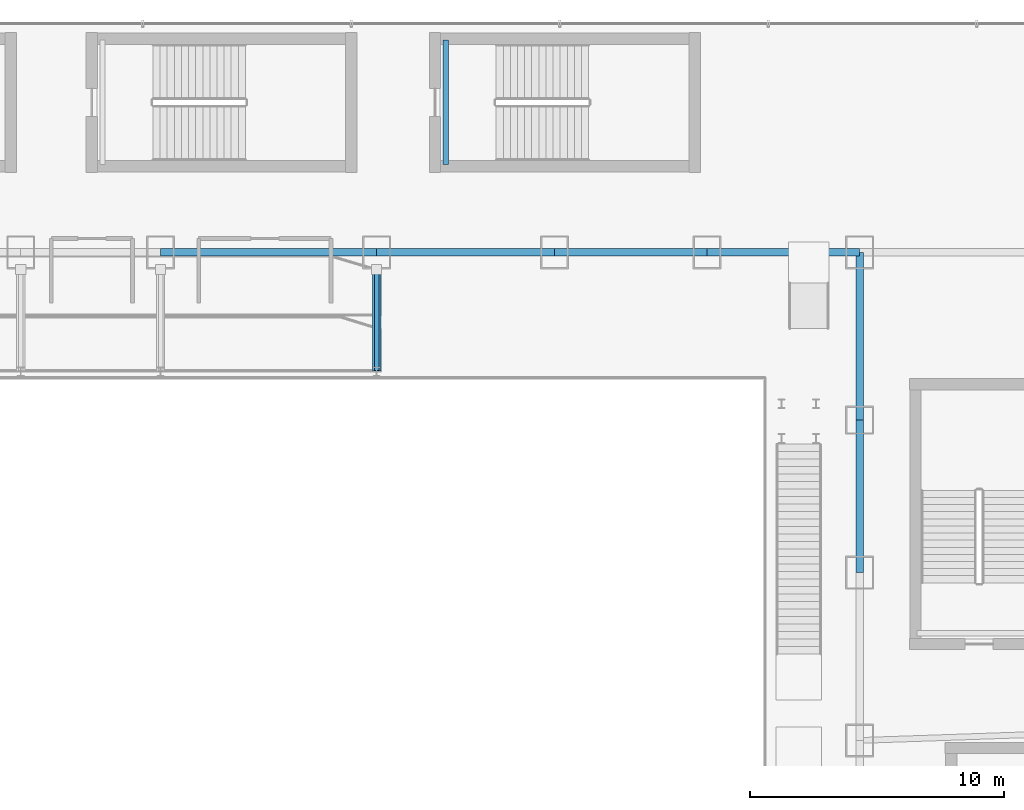
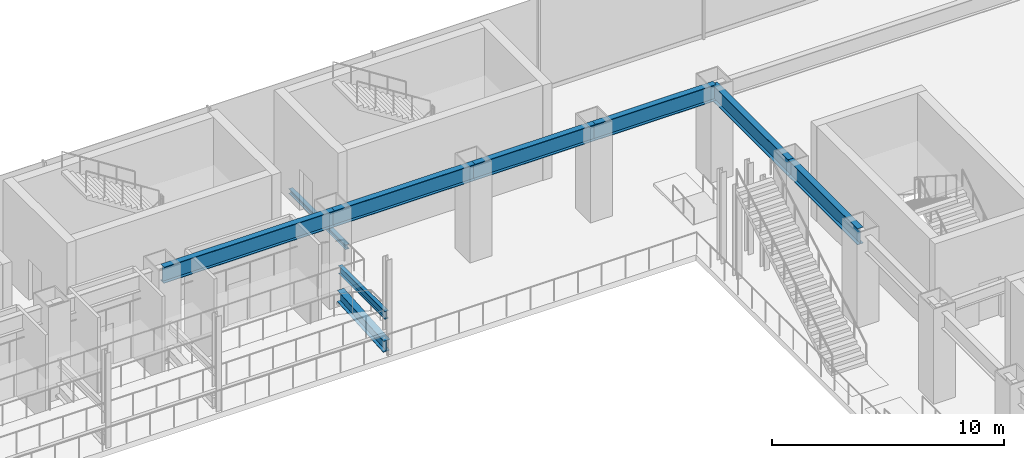
# One storey, part 16 of 40: 9 beams.
"""IFC4 building model written with IfcOpenShell, lengths in metres."""

from ifc_helpers import new_model, si_unit, derived_unit, direction, frame, origin, origin_2d, place, context, subcontext, project, spatial, i_section, extrude, source, transform, mapped, material, material_profile, profile_set, type_object, element, save


model = new_model("IFC4")

# Units and contexts
model_context = context("Model", 3, precision=1e-05, world=origin(), true_north=direction((0.0, 1.0)))
body_context = subcontext(model_context, "Body", "Model", "MODEL_VIEW")
ifc_project = project(units=[si_unit("LENGTHUNIT", "METRE"), si_unit("AREAUNIT", "SQUARE_METRE"), si_unit("VOLUMEUNIT", "CUBIC_METRE"), si_unit("PLANEANGLEUNIT", "RADIAN"), si_unit("MASSUNIT", "GRAM", prefix="KILO"), derived_unit("THERMALTRANSMITTANCEUNIT", [(si_unit("POWERUNIT", "WATT"), 1), (si_unit("LENGTHUNIT", "METRE"), -2), (si_unit("THERMODYNAMICTEMPERATUREUNIT", "KELVIN"), -1)])], contexts=[model_context])

# Site, building, storey
site_placement = place(None, origin())
site = spatial("IfcSite", under=ifc_project, at=site_placement, CompositionType="ELEMENT")
building_placement = place(site_placement, origin())
building = spatial("IfcBuilding", under=site, at=building_placement, Name="Skarnbrae Concourse Arena and Tower", CompositionType="ELEMENT")
storey_placement = place(building_placement, frame((0.0, 0.0, 6.0)))
storey = spatial("IfcBuildingStorey", under=building, at=storey_placement, Name="L01", CompositionType="ELEMENT", Elevation=6.0)

# Beams
ifc_material = material(Name="Steel CSA G40.21 350W", Category="steel")
ifc_material_profile_1 = material_profile(ifc_material, i_section(OverallWidth=0.2939453125, OverallDepth=0.85107421875, WebThickness=0.01611328125, FlangeThickness=0.02685546875, at=origin_2d()), Name="W840X226")
ifc_profile_set_1 = profile_set([ifc_material_profile_1], Name="Steel CSA G40.21 350W")
beam_type_1 = type_object("IfcBeamType", Name="BM-GIRD-W840X226", PredefinedType="BEAM", material=ifc_profile_set_1)
shared_shape_1 = source(origin(), body_context, "Body", "SweptSolid", [
    extrude(i_section(OverallWidth=0.2939453125, OverallDepth=0.85107421875, WebThickness=0.01611328125, FlangeThickness=0.02685546875, at=origin_2d()), origin(), (0.0, 0.0, 1.0), 6.60009765625),
])
beam_1_placement = place(storey_placement, frame((61.0, 40.39990234375, 4.2744140625), z_axis=(0.0, 1.0, 0.0), x_axis=(-1.0, 0.0, 0.0)))
element("IfcBeam", 1, at=beam_1_placement, inside=storey, type_object=beam_type_1, Name="L01 Podium east girder 6", PredefinedType="BEAM", context=body_context, shape_type="MappedRepresentation", body=[
    mapped(shared_shape_1, transform((0.0, 0.0, 0.0))),
])
shared_shape_2 = source(origin(), body_context, "Body", "SweptSolid", [
    extrude(i_section(OverallWidth=0.2939453125, OverallDepth=0.85107421875, WebThickness=0.01611328125, FlangeThickness=0.02685546875, at=origin_2d()), origin(), (0.0, 0.0, 1.0), 8.5),
])
beam_2_placement = place(storey_placement, frame((33.5, 47.0, 4.2744140625), z_axis=(1.0, 0.0, 0.0), x_axis=(0.0, 1.0, 0.0)))
element("IfcBeam", 2, at=beam_2_placement, inside=storey, type_object=beam_type_1, Name="L01 Podium north girder 6", PredefinedType="BEAM", context=body_context, shape_type="MappedRepresentation", body=[
    mapped(shared_shape_2, transform((0.0, 0.0, 0.0))),
])
shared_shape_3 = source(origin(), body_context, "Body", "SweptSolid", [
    extrude(i_section(OverallWidth=0.2939453125, OverallDepth=0.85107421875, WebThickness=0.01611328125, FlangeThickness=0.02685546875, at=origin_2d()), origin(), (0.0, 0.0, 1.0), 7.0),
])
beam_3_placement = place(storey_placement, frame((42.0, 47.0, 4.2744140625), z_axis=(1.0, 0.0, 0.0), x_axis=(0.0, 1.0, 0.0)))
element("IfcBeam", 3, at=beam_3_placement, inside=storey, type_object=beam_type_1, Name="L01 Podium north girder 7", PredefinedType="BEAM", context=body_context, shape_type="MappedRepresentation", body=[
    mapped(shared_shape_3, transform((0.0, 0.0, 0.0))),
])
shared_shape_4 = source(origin(), body_context, "Body", "SweptSolid", [
    extrude(i_section(OverallWidth=0.2939453125, OverallDepth=0.85107421875, WebThickness=0.01611328125, FlangeThickness=0.02685546875, at=origin_2d()), origin(), (0.0, 0.0, 1.0), 6.0),
])
for number, where, z_axis, x_axis, name in (
    (4, (49.0, 47.0, 4.2744140625), (1.0, 0.0, 0.0), (0.0, 1.0, 0.0), "L01 Podium north girder 8"),
    (5, (55.0, 47.0, 4.2744140625), (1.0, 0.0, 0.0), (0.0, 1.0, 0.0), "L01 Podium north girder 9"),
    (6, (61.0, 34.39990234375, 4.2744140625), (0.0, 1.0, 0.0), (-1.0, 0.0, 0.0), "L01 Podium east girder 5"),
):
    element("IfcBeam", number, at=place(storey_placement, frame(where, z_axis=z_axis, x_axis=x_axis)), inside=storey, type_object=beam_type_1, Name=name, PredefinedType="BEAM", context=body_context, shape_type="MappedRepresentation", body=[
        mapped(shared_shape_4, transform((0.0, 0.0, 0.0))),
    ])
ifc_material_profile_2 = material_profile(ifc_material, i_section(OverallWidth=0.180908203125, OverallDepth=0.4169921875, WebThickness=0.010986328125, FlangeThickness=0.018310546875, at=origin_2d()), Name="W410X85")
ifc_profile_set_2 = profile_set([ifc_material_profile_2], Name="Steel CSA G40.21 350W")
beam_type_2 = type_object("IfcBeamType", Name="BM-JOIST-W410X85", PredefinedType="JOIST", material=ifc_profile_set_2)
shared_shape_5 = source(origin(), body_context, "Body", "SweptSolid", [
    extrude(i_section(OverallWidth=0.180908203125, OverallDepth=0.4169921875, WebThickness=0.010986328125, FlangeThickness=0.018310546875, at=origin_2d()), origin(), (0.0, 0.0, 1.0), 4.0),
])
beam_4_placement = place(storey_placement, frame((42.0, 42.360107421875, 1.94140625), z_axis=(0.0, 1.0, 0.0), x_axis=(-1.0, 0.0, 0.0)))
element("IfcBeam", 7, at=beam_4_placement, inside=storey, type_object=beam_type_2, Name="L01 Arena upper seating tier cradle beam N05", PredefinedType="JOIST", context=body_context, shape_type="MappedRepresentation", body=[
    mapped(shared_shape_5, transform((0.0, 0.0, 0.0))),
])
ifc_material_profile_3 = material_profile(ifc_material, i_section(OverallWidth=0.323974609375, OverallDepth=0.611083984375, WebThickness=0.0126953125, FlangeThickness=0.01904296875, at=origin_2d()), Name="W610X155")
ifc_profile_set_3 = profile_set([ifc_material_profile_3], Name="Steel CSA G40.21 350W")
beam_type_3 = type_object("IfcBeamType", Name="BM-RAKER-W610X155", PredefinedType="USERDEFINED", material=ifc_profile_set_3)
shared_shape_6 = source(origin(), body_context, "Body", "SweptSolid", [
    extrude(i_section(OverallWidth=0.323974609375, OverallDepth=0.611083984375, WebThickness=0.0126953125, FlangeThickness=0.01904296875, at=origin_2d()), origin(), (0.0, 0.0, 1.0), 4.008544921875),
])
beam_5_placement = place(storey_placement, frame((42.0, 42.360107421875, 0.320068359375), z_axis=(0.0, 0.997894012809, 0.064865547097), x_axis=(-1.0, 0.0, 0.0)))
element("IfcBeam", 8, at=beam_5_placement, inside=storey, type_object=beam_type_3, Name="L01 Arena bowl sloped raker beam RB-N05", ObjectType="RAKER", PredefinedType="USERDEFINED", context=body_context, shape_type="MappedRepresentation", body=[
    mapped(shared_shape_6, transform((0.0, 0.0, 0.0))),
])
ifc_material_profile_4 = material_profile(ifc_material, i_section(OverallWidth=0.202880859375, OverallDepth=0.251953125, WebThickness=0.008056640625, FlangeThickness=0.013427734375, at=origin_2d()), Name="W250X58")
ifc_profile_set_4 = profile_set([ifc_material_profile_4], Name="Steel CSA G40.21 350W")
beam_type_4 = type_object("IfcBeamType", Name="BM-LINTEL-W250X58", PredefinedType="LINTEL", material=ifc_profile_set_4)
shared_shape_7 = source(origin(), body_context, "Body", "SweptSolid", [
    extrude(i_section(OverallWidth=0.202880859375, OverallDepth=0.251953125, WebThickness=0.008056640625, FlangeThickness=0.013427734375, at=origin_2d()), origin(), (0.0, 0.0, 1.0), 4.900146484375),
])
beam_6_placement = place(storey_placement, frame((44.719970703125, 50.449951171875, -0.325927734375), z_axis=(0.0, 1.0, 0.0), x_axis=(-1.0, 0.0, 0.0)))
element("IfcBeam", 9, at=beam_6_placement, inside=storey, type_object=beam_type_4, Name="L01 Stair ST-A8 near landing soffit beam", PredefinedType="LINTEL", context=body_context, shape_type="MappedRepresentation", body=[
    mapped(shared_shape_7, transform((0.0, 0.0, 0.0))),
])

save(model, "model.ifc")
